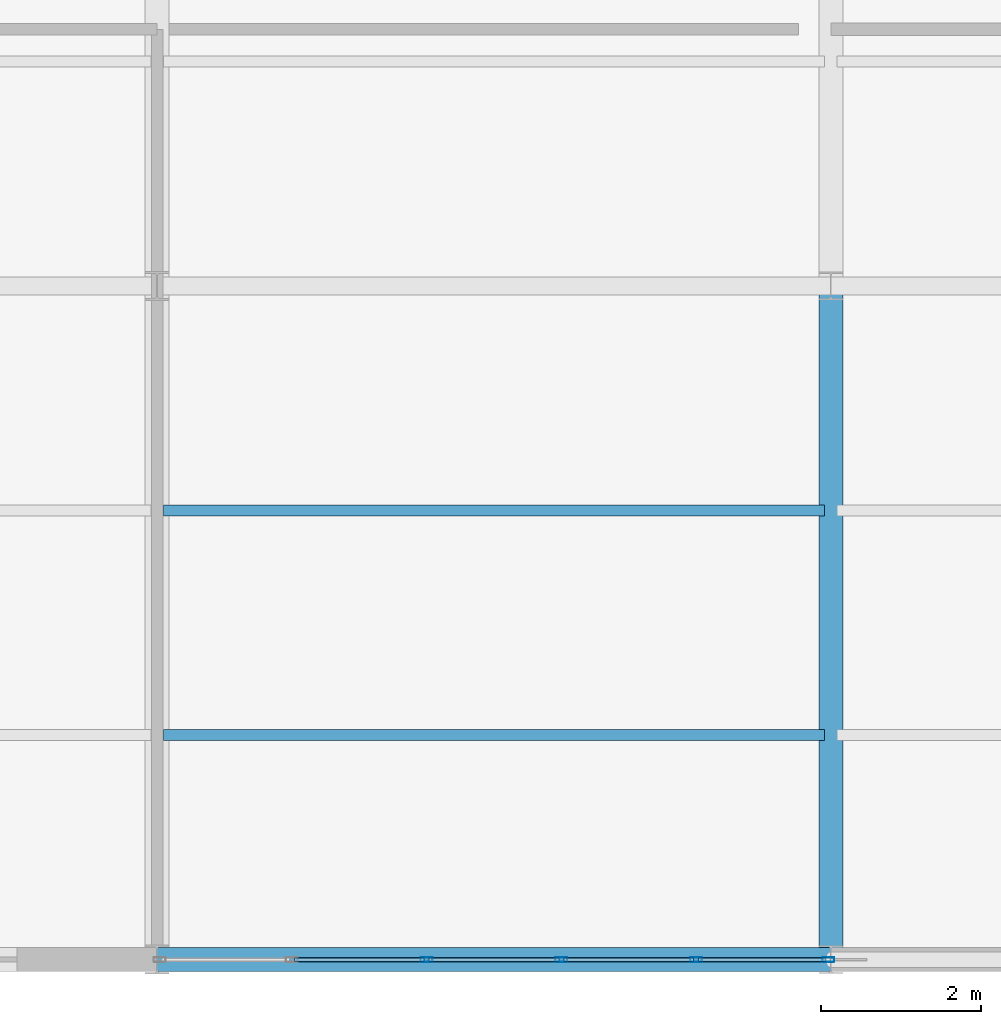
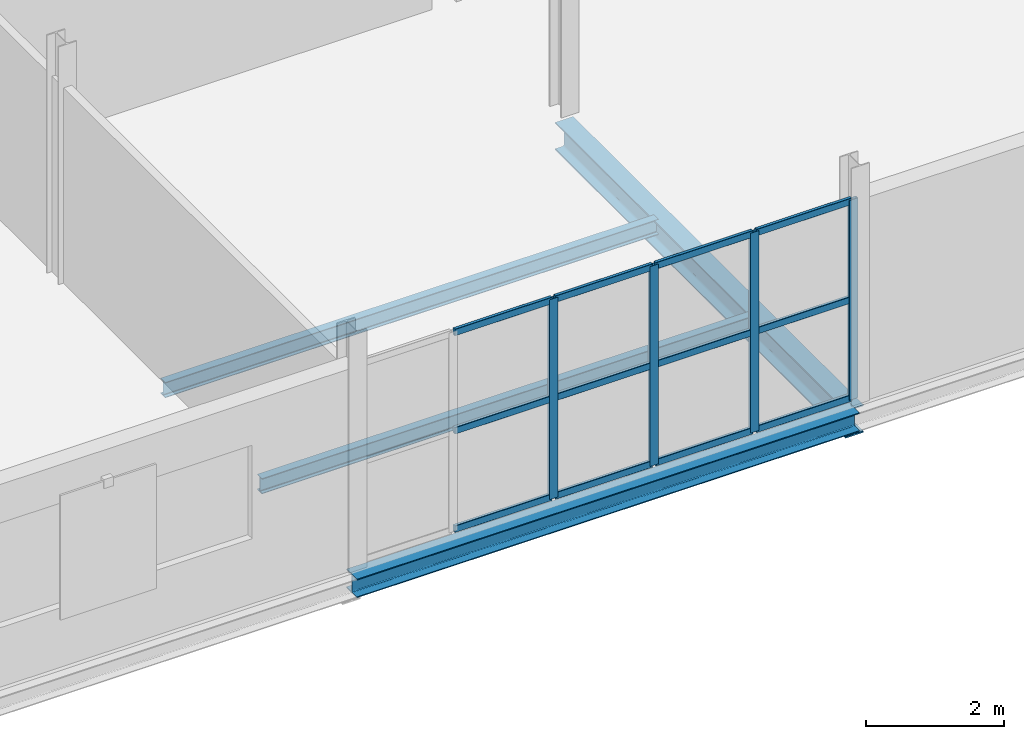
# One storey, part 94 of 163: 16 members, 4 beams, 1 element without a shape of its own.
"""IFC4 building model written with IfcOpenShell, lengths in metres."""

import ifcopenshell
import ifcopenshell.guid

model = None  # the IFC model being written
_history = None  # IfcOwnerHistory: only IFC2X3 demands one
_inside = {}  # id of a spatial element -> (the spatial element, [elements in it])
_under = {}  # id of a project, library or spatial element -> (it, [spatial elements below it])
_declared = {}  # id of a project -> (the project, [libraries it declares])
_typed = {}  # id of a type object -> (the type object, [elements of that type])
_made_of = {}  # id of a material, layer set ... -> (it, [elements and type objects made of it])


def new_model(schema):
    """Start an empty IFC model of exactly this schema.

    Asked for "IFC4X3", IfcOpenShell would pick the latest addendum, in which some entities
    have other attributes; the version numbers below select the first issue.
    IFC2X3 requires an IfcOwnerHistory on every rooted entity: one is made here for all.
    """
    global model, _history
    if schema == "IFC4X3":
        model = ifcopenshell.file(schema_version=(4, 3, 0, 0))
    else:
        model = ifcopenshell.file(schema=schema)
    _inside.clear()
    _under.clear()
    _declared.clear()
    _typed.clear()
    _made_of.clear()
    _history = None
    if model.schema == "IFC2X3":
        org = make("IfcOrganization", Name="unknown")
        user = make(
            "IfcPersonAndOrganization",
            ThePerson=make("IfcPerson", FamilyName="unknown"),
            TheOrganization=org,
        )
        app = make(
            "IfcApplication",
            ApplicationDeveloper=org,
            Version="unknown",
            ApplicationFullName="unknown",
            ApplicationIdentifier="unknown",
        )
        _history = make(
            "IfcOwnerHistory",
            OwningUser=user,
            OwningApplication=app,
            ChangeAction="ADDED",
            CreationDate=0,
        )
    return model


def make(cls, **values):
    """One entity of the class cls with the attributes given. An attribute that is None is left unset."""
    return model.create_entity(
        cls, **{name: value for name, value in values.items() if value is not None}
    )


def rooted(cls, **values):
    """An entity with a GlobalId (a new one), such as an element, a storey or a relation."""
    return make(cls, GlobalId=ifcopenshell.guid.new(), OwnerHistory=_history, **values)


def si_unit(unit_type, name, prefix=None):
    """IfcSIUnit, for example si_unit("LENGTHUNIT", "METRE", prefix="MILLI")."""
    return make("IfcSIUnit", UnitType=unit_type, Prefix=prefix, Name=name)


def assignment(units):
    """IfcUnitAssignment: the units of a project."""
    return None if units is None else make("IfcUnitAssignment", Units=units)


def point(xyz):
    """IfcCartesianPoint."""
    return None if xyz is None else make("IfcCartesianPoint", Coordinates=xyz)


def direction(xyz):
    """IfcDirection."""
    return None if xyz is None else make("IfcDirection", DirectionRatios=xyz)


def frame(location, z_axis=None, x_axis=None):
    """IfcAxis2Placement3D, a coordinate frame: its origin and axes. An axis left out is left unset."""
    return make(
        "IfcAxis2Placement3D",
        Location=point(location),
        Axis=direction(z_axis),
        RefDirection=direction(x_axis),
    )


def frame_2d(location, x_axis=None):
    """IfcAxis2Placement2D, a coordinate frame in the plane: its origin and x axis."""
    return make(
        "IfcAxis2Placement2D", Location=point(location), RefDirection=direction(x_axis)
    )


def origin():
    """The frame at (0, 0, 0) with its axes left unset."""
    return frame((0.0, 0.0, 0.0))


def origin_2d():
    """The frame at (0, 0) in the plane with its x axis left unset."""
    return frame_2d((0.0, 0.0))


def place(relative_to, where):
    """IfcLocalPlacement: puts the frame where relative to a parent placement (None: the world)."""
    return make(
        "IfcLocalPlacement", PlacementRelTo=relative_to, RelativePlacement=where
    )


def context(
    kind, dimensions, precision=None, world=None, true_north=None, identifier=None
):
    """IfcGeometricRepresentationContext, for example the 3D "Model" context."""
    return make(
        "IfcGeometricRepresentationContext",
        ContextIdentifier=identifier,
        ContextType=kind,
        CoordinateSpaceDimension=dimensions,
        Precision=precision,
        WorldCoordinateSystem=world,
        TrueNorth=true_north,
    )


def subcontext(parent, identifier, kind, view, scale=None):
    """IfcGeometricRepresentationSubContext, for example "Body" below "Model"."""
    return make(
        "IfcGeometricRepresentationSubContext",
        ContextIdentifier=identifier,
        ContextType=kind,
        ParentContext=parent,
        TargetScale=scale,
        TargetView=view,
    )


def project(units=None, contexts=None):
    """IfcProject with its units and contexts."""
    return rooted(
        "IfcProject",
        Name="project",
        RepresentationContexts=contexts,
        UnitsInContext=assignment(units),
    )


def spatial(cls, under=None, at=None, **own):
    """A site, building, storey or space (cls), placed at a placement, below another one or the project."""
    s = rooted(cls, ObjectPlacement=at, **own)
    if under is not None:
        _under.setdefault(under.id(), (under, []))[1].append(s)
    return s


def profile(cls, at=None, kind="AREA", **sizes):
    """A parametric profile (cls). Its sizes go by their IFC names, for example OverallWidth=200.0."""
    return make(cls, ProfileType=kind, Position=at, **sizes)


def hollow_rectangle(**sizes):
    """IfcRectangleHollowProfileDef."""
    return profile("IfcRectangleHollowProfileDef", **sizes)


def i_section(**sizes):
    """IfcIShapeProfileDef."""
    return profile("IfcIShapeProfileDef", **sizes)


def extrude(swept, where, along, depth):
    """IfcExtrudedAreaSolid: the profile swept, set in the frame where, extruded along a direction by depth."""
    return make(
        "IfcExtrudedAreaSolid",
        SweptArea=swept,
        Position=where,
        ExtrudedDirection=direction(along),
        Depth=depth,
    )


def shape(context_of_items, identifier, shape_type, items):
    """IfcShapeRepresentation: the items that make up one representation, for example the "Body"."""
    return make(
        "IfcShapeRepresentation",
        ContextOfItems=context_of_items,
        RepresentationIdentifier=identifier,
        RepresentationType=shape_type,
        Items=items,
    )


def material(Name=None, Category=None):
    """IfcMaterial."""
    return make("IfcMaterial", Name=Name, Category=Category)


def layer(
    of_material, thickness, ventilated=None, Name=None, Category=None, Priority=None
):
    """IfcMaterialLayer: one layer of a wall or slab, of a material (None: an air gap)."""
    return make(
        "IfcMaterialLayer",
        Material=of_material,
        LayerThickness=thickness,
        IsVentilated=ventilated,
        Name=Name,
        Category=Category,
        Priority=Priority,
    )


def layer_set(layers, Name=None):
    """IfcMaterialLayerSet."""
    return make("IfcMaterialLayerSet", MaterialLayers=layers, LayerSetName=Name)


def material_profile(
    of_material, cross_section, Name=None, Category=None, Priority=None
):
    """IfcMaterialProfile: a cross section and its material."""
    return make(
        "IfcMaterialProfile",
        Name=Name,
        Material=of_material,
        Profile=cross_section,
        Priority=Priority,
        Category=Category,
    )


def profile_set(profiles, Name=None, composite=None):
    """IfcMaterialProfileSet."""
    return make(
        "IfcMaterialProfileSet",
        Name=Name,
        MaterialProfiles=profiles,
        CompositeProfile=composite,
    )


def made_of(thing, what):
    """Note that an element or type object is made of a material, layer set ...; save() writes the relation."""
    if what is not None:
        _made_of.setdefault(what.id(), (what, []))[1].append(thing)
    return thing


def type_object(cls, material=None, **own):
    """A type object (cls), such as IfcWallType, which elements share."""
    return made_of(rooted(cls, **own), material)


def element(
    cls,
    number,
    at=None,
    inside=None,
    cuts=None,
    type_object=None,
    material=None,
    context=None,
    identifier="Body",
    shape_type=None,
    held_by="IfcProductDefinitionShape",
    body=None,
    shapes=None,
    **own,
):
    """One element of the class cls, such as IfcWall. Its Tag is "e" and its number.

    at: its placement. inside: the storey or other place that contains it. cuts: it is an
    opening in that element (IfcRelVoidsElement). A single representation is given by context,
    identifier, shape_type and body (its items); several are given by shapes. held_by: the class
    of the entity that holds the representations. save() writes the other relations.
    """
    e = rooted(cls, Tag="e%d" % number, ObjectPlacement=at, **own)
    if body is not None:
        shapes = [shape(context, identifier, shape_type, body)]
    if shapes is not None:
        e.Representation = make(held_by, Representations=shapes)
    if inside is not None:
        _inside.setdefault(inside.id(), (inside, []))[1].append(e)
    if cuts is not None:
        rooted(
            "IfcRelVoidsElement", RelatingBuildingElement=cuts, RelatedOpeningElement=e
        )
    if type_object is not None:
        _typed.setdefault(type_object.id(), (type_object, []))[1].append(e)
    return made_of(e, material)


def aggregate(whole, parts):
    """IfcRelAggregates: a whole, such as a stair, and the parts it consists of."""
    return rooted("IfcRelAggregates", RelatingObject=whole, RelatedObjects=parts)


def save(model, path):
    """Write the relations noted so far, then the file.

    IfcRelAggregates (storeys below a building ...), IfcRelContainedInSpatialStructure (elements
    in a storey), IfcRelDefinesByType, IfcRelAssociatesMaterial and IfcRelDeclares: one each for
    every whole, place, type object, material and project.
    """
    for whole, parts in _under.values():
        aggregate(whole, parts)
    for where, things in _inside.values():
        rooted(
            "IfcRelContainedInSpatialStructure",
            RelatedElements=things,
            RelatingStructure=where,
        )
    for kind, things in _typed.values():
        rooted("IfcRelDefinesByType", RelatedObjects=things, RelatingType=kind)
    for what, things in _made_of.values():
        rooted("IfcRelAssociatesMaterial", RelatedObjects=things, RelatingMaterial=what)
    for by, libraries in _declared.values():
        rooted("IfcRelDeclares", RelatingContext=by, RelatedDefinitions=libraries)
    model.write(path)


model = new_model("IFC4")

# Units and contexts
model_context = context("Model", 3, precision=1e-05, world=origin(), true_north=direction((0.0, 1.0)))
body_context = subcontext(model_context, "Body", "Model", "MODEL_VIEW")
ifc_project = project(units=[si_unit("LENGTHUNIT", "METRE"), si_unit("AREAUNIT", "SQUARE_METRE"), si_unit("VOLUMEUNIT", "CUBIC_METRE"), si_unit("PLANEANGLEUNIT", "RADIAN"), si_unit("MASSUNIT", "GRAM", prefix="KILO")], contexts=[model_context])

# Site, building, storey
site_placement = place(None, origin())
site = spatial("IfcSite", under=ifc_project, at=site_placement, CompositionType="ELEMENT")
building_placement = place(site_placement, origin())
building = spatial("IfcBuilding", under=site, at=building_placement, Name="Qalvenar Corner Mobility Hub", CompositionType="ELEMENT")
storey_placement = place(building_placement, frame((0.0, 0.0, 4.800048828125)))
storey = spatial("IfcBuildingStorey", under=building, at=storey_placement, Name="L01", CompositionType="ELEMENT", Elevation=4.800048828125)

# Beams
ifc_material_1 = material(Name="Steel S355", Category="steel")
ifc_material_profile_1 = material_profile(ifc_material_1, i_section(OverallWidth=0.300048828125, OverallDepth=0.489990234375, WebThickness=0.011962890625, FlangeThickness=0.02294921875, FilletRadius=0.027099609375, at=origin_2d()), Name="HEA500")
ifc_profile_set_1 = profile_set([ifc_material_profile_1], Name="Steel S355")
beam_type_1 = type_object("IfcBeamType", Name="BM-HEA500", PredefinedType="BEAM", material=ifc_profile_set_1)
beam_1_placement = place(storey_placement, frame((142.800048828125, 0.0, -0.425048828125), z_axis=(0.0, 1.0, 0.0), x_axis=(-1.0, 0.0, 0.0)))
element("IfcBeam", 1, at=beam_1_placement, inside=storey, type_object=beam_type_1, Name="Primary Steel Girder GY-1050", PredefinedType="BEAM", context=body_context, shape_type="SweptSolid", body=[
    extrude(i_section(OverallWidth=0.300048828125, OverallDepth=0.489990234375, WebThickness=0.011962890625, FlangeThickness=0.02294921875, FilletRadius=0.027099609375, at=origin_2d()), origin(), (0.0, 0.0, 1.0), 8.39990234375),
])
ifc_material_profile_2 = material_profile(ifc_material_1, i_section(OverallWidth=0.135009765625, OverallDepth=0.27001953125, WebThickness=0.006591796875, FlangeThickness=0.01025390625, FilletRadius=0.014892578125, at=origin_2d()), Name="IPE270")
ifc_profile_set_2 = profile_set([ifc_material_profile_2], Name="Steel S355")
beam_type_2 = type_object("IfcBeamType", Name="BM-JST270", PredefinedType="JOIST", material=ifc_profile_set_2)
for number, where, z_axis, x_axis, name in (
    (2, (134.47802734375, 2.800048828125, -0.31494140625), (1.0, 0.0, 0.0), (0.0, 1.0, 0.0), "Composite Floor Joist J-1108"),
    (3, (134.47802734375, 5.60009765625, -0.31494140625), (1.0, 0.0, 0.0), (0.0, 1.0, 0.0), "Composite Floor Joist J-1109"),
):
    element("IfcBeam", number, at=place(storey_placement, frame(where, z_axis=z_axis, x_axis=x_axis)), inside=storey, type_object=beam_type_2, Name=name, PredefinedType="JOIST", context=body_context, shape_type="SweptSolid", body=[
        extrude(i_section(OverallWidth=0.135009765625, OverallDepth=0.27001953125, WebThickness=0.006591796875, FlangeThickness=0.01025390625, FilletRadius=0.014892578125, at=origin_2d()), origin(), (0.0, 0.0, 1.0), 8.243896484375),
    ])
ifc_material_profile_3 = material_profile(ifc_material_1, i_section(OverallWidth=0.300048828125, OverallDepth=0.330078125, WebThickness=0.009521484375, FlangeThickness=0.0166015625, FilletRadius=0.027099609375, at=origin_2d()), Name="HEA340")
ifc_profile_set_3 = profile_set([ifc_material_profile_3], Name="Steel S355")
beam_type_3 = type_object("IfcBeamType", Name="BM-SPN340", PredefinedType="SPANDREL", material=ifc_profile_set_3)
beam_2_placement = place(storey_placement, frame((134.39990234375, 0.0, -0.344970703125), z_axis=(1.0, 0.0, 0.0), x_axis=(0.0, 1.0, 0.0)))
element("IfcBeam", 4, at=beam_2_placement, inside=storey, type_object=beam_type_3, Name="Primary Steel Girder GX-0981", PredefinedType="SPANDREL", context=body_context, shape_type="SweptSolid", body=[
    extrude(i_section(OverallWidth=0.300048828125, OverallDepth=0.330078125, WebThickness=0.009521484375, FlangeThickness=0.0166015625, FilletRadius=0.027099609375, at=origin_2d()), origin(), (0.0, 0.0, 1.0), 8.400146484375),
])

# Curtain wall, members
ifc_material_2 = material(Name="Anodised Aluminium and Low-E Glazing", Category="aluminium")
ifc_layer = layer(ifc_material_2, 0.14990234375)
ifc_layer_set = layer_set([ifc_layer], Name="Anodised Aluminium and Low-E Glazing")
curtain_wall_type = type_object("IfcCurtainWallType", Name="CW-WKS-84X44", PredefinedType="NOTDEFINED", material=ifc_layer_set)
curtain_wall_placement = place(storey_placement, origin())
curtain_wall = element("IfcCurtainWall", 5, at=curtain_wall_placement, inside=storey, type_object=curtain_wall_type, Name="Glazed Curtain Wall CW-V6-L01-S3", PredefinedType="NOTDEFINED")
ifc_material_3 = material(Name="Anodised Aluminium 6063-T6", Category="aluminium")
ifc_material_profile_4 = material_profile(ifc_material_3, hollow_rectangle(XDim=0.06005859375, YDim=0.14990234375, WallThickness=0.00390625, InnerFilletRadius=0.00390625, OuterFilletRadius=0.008056640625, at=origin_2d()), Name="RHS150x60x4")
ifc_profile_set_4 = profile_set([ifc_material_profile_4], Name="Anodised Aluminium 6063-T6")
member_type_1 = type_object("IfcMemberType", Name="CW-MUL150", PredefinedType="MULLION", material=ifc_profile_set_4)
member_1_placement = place(storey_placement, frame((137.760009765625, 0.0, 0.0), z_axis=(0.0, 0.0, 1.0), x_axis=(0.0, 1.0, 0.0)))
member_1 = element("IfcMember", 6, at=member_1_placement, type_object=member_type_1, Name="CW-09 mullion 3", PredefinedType="MULLION", context=body_context, shape_type="SweptSolid", body=[
    extrude(hollow_rectangle(XDim=0.06005859375, YDim=0.14990234375, WallThickness=0.00390625, InnerFilletRadius=0.00390625, OuterFilletRadius=0.008056640625, at=origin_2d()), origin(), (0.0, 0.0, 1.0), 3.530029296875),
])
member_2_placement = place(storey_placement, frame((139.43994140625, 0.0, 0.0), z_axis=(0.0, 0.0, 1.0), x_axis=(0.0, 1.0, 0.0)))
member_2 = element("IfcMember", 7, at=member_2_placement, type_object=member_type_1, Name="CW-09 mullion 4", PredefinedType="MULLION", context=body_context, shape_type="SweptSolid", body=[
    extrude(hollow_rectangle(XDim=0.06005859375, YDim=0.14990234375, WallThickness=0.00390625, InnerFilletRadius=0.00390625, OuterFilletRadius=0.008056640625, at=origin_2d()), origin(), (0.0, 0.0, 1.0), 3.530029296875),
])
member_3_placement = place(storey_placement, frame((141.1201171875, 0.0, 0.0), z_axis=(0.0, 0.0, 1.0), x_axis=(0.0, 1.0, 0.0)))
member_3 = element("IfcMember", 8, at=member_3_placement, type_object=member_type_1, Name="CW-09 mullion 5", PredefinedType="MULLION", context=body_context, shape_type="SweptSolid", body=[
    extrude(hollow_rectangle(XDim=0.06005859375, YDim=0.14990234375, WallThickness=0.00390625, InnerFilletRadius=0.00390625, OuterFilletRadius=0.008056640625, at=origin_2d()), origin(), (0.0, 0.0, 1.0), 3.530029296875),
])
member_4_placement = place(storey_placement, frame((142.77001953125, 0.0, 0.0), z_axis=(0.0, 0.0, 1.0), x_axis=(0.0, 1.0, 0.0)))
member_4 = element("IfcMember", 9, at=member_4_placement, type_object=member_type_1, Name="CW-09 mullion 6", PredefinedType="MULLION", context=body_context, shape_type="SweptSolid", body=[
    extrude(hollow_rectangle(XDim=0.06005859375, YDim=0.14990234375, WallThickness=0.00390625, InnerFilletRadius=0.00390625, OuterFilletRadius=0.008056640625, at=origin_2d()), origin(), (0.0, 0.0, 1.0), 3.530029296875),
])
ifc_material_profile_5 = material_profile(ifc_material_3, hollow_rectangle(XDim=0.054931640625, YDim=0.1201171875, WallThickness=0.00341796875, InnerFilletRadius=0.00341796875, OuterFilletRadius=0.007080078125, at=origin_2d()), Name="RHS120x55x3.5")
ifc_profile_set_5 = profile_set([ifc_material_profile_5], Name="Anodised Aluminium 6063-T6")
member_type_2 = type_object("IfcMemberType", Name="CW-TRN120", PredefinedType="USERDEFINED", material=ifc_profile_set_5)
member_5_placement = place(storey_placement, frame((136.110107421875, 0.0, 0.02734375), z_axis=(1.0, 0.0, 0.0), x_axis=(0.0, 1.0, 0.0)))
member_5 = element("IfcMember", 10, at=member_5_placement, type_object=member_type_2, Name="CW-09 transom 2.1", ObjectType="TRANSOM", PredefinedType="USERDEFINED", context=body_context, shape_type="SweptSolid", body=[
    extrude(hollow_rectangle(XDim=0.054931640625, YDim=0.1201171875, WallThickness=0.00341796875, InnerFilletRadius=0.00341796875, OuterFilletRadius=0.007080078125, at=origin_2d()), origin(), (0.0, 0.0, 1.0), 1.619873046875),
])
member_6_placement = place(storey_placement, frame((136.110107421875, 0.0, 1.764892578125), z_axis=(1.0, 0.0, 0.0), x_axis=(0.0, 1.0, 0.0)))
member_6 = element("IfcMember", 11, at=member_6_placement, type_object=member_type_2, Name="CW-09 transom 2.2", ObjectType="TRANSOM", PredefinedType="USERDEFINED", context=body_context, shape_type="SweptSolid", body=[
    extrude(hollow_rectangle(XDim=0.054931640625, YDim=0.1201171875, WallThickness=0.00341796875, InnerFilletRadius=0.00341796875, OuterFilletRadius=0.007080078125, at=origin_2d()), origin(), (0.0, 0.0, 1.0), 1.619873046875),
])
member_7_placement = place(storey_placement, frame((136.110107421875, 0.0, 3.50244140625), z_axis=(1.0, 0.0, 0.0), x_axis=(0.0, 1.0, 0.0)))
member_7 = element("IfcMember", 12, at=member_7_placement, type_object=member_type_2, Name="CW-09 transom 2.3", ObjectType="TRANSOM", PredefinedType="USERDEFINED", context=body_context, shape_type="SweptSolid", body=[
    extrude(hollow_rectangle(XDim=0.054931640625, YDim=0.1201171875, WallThickness=0.00341796875, InnerFilletRadius=0.00341796875, OuterFilletRadius=0.007080078125, at=origin_2d()), origin(), (0.0, 0.0, 1.0), 1.619873046875),
])
member_8_placement = place(storey_placement, frame((137.7900390625, 0.0, 0.02734375), z_axis=(1.0, 0.0, 0.0), x_axis=(0.0, 1.0, 0.0)))
member_8 = element("IfcMember", 13, at=member_8_placement, type_object=member_type_2, Name="CW-09 transom 3.1", ObjectType="TRANSOM", PredefinedType="USERDEFINED", context=body_context, shape_type="SweptSolid", body=[
    extrude(hollow_rectangle(XDim=0.054931640625, YDim=0.1201171875, WallThickness=0.00341796875, InnerFilletRadius=0.00341796875, OuterFilletRadius=0.007080078125, at=origin_2d()), origin(), (0.0, 0.0, 1.0), 1.619873046875),
])
member_9_placement = place(storey_placement, frame((137.7900390625, 0.0, 1.764892578125), z_axis=(1.0, 0.0, 0.0), x_axis=(0.0, 1.0, 0.0)))
member_9 = element("IfcMember", 14, at=member_9_placement, type_object=member_type_2, Name="CW-09 transom 3.2", ObjectType="TRANSOM", PredefinedType="USERDEFINED", context=body_context, shape_type="SweptSolid", body=[
    extrude(hollow_rectangle(XDim=0.054931640625, YDim=0.1201171875, WallThickness=0.00341796875, InnerFilletRadius=0.00341796875, OuterFilletRadius=0.007080078125, at=origin_2d()), origin(), (0.0, 0.0, 1.0), 1.619873046875),
])
member_10_placement = place(storey_placement, frame((137.7900390625, 0.0, 3.50244140625), z_axis=(1.0, 0.0, 0.0), x_axis=(0.0, 1.0, 0.0)))
member_10 = element("IfcMember", 15, at=member_10_placement, type_object=member_type_2, Name="CW-09 transom 3.3", ObjectType="TRANSOM", PredefinedType="USERDEFINED", context=body_context, shape_type="SweptSolid", body=[
    extrude(hollow_rectangle(XDim=0.054931640625, YDim=0.1201171875, WallThickness=0.00341796875, InnerFilletRadius=0.00341796875, OuterFilletRadius=0.007080078125, at=origin_2d()), origin(), (0.0, 0.0, 1.0), 1.619873046875),
])
member_11_placement = place(storey_placement, frame((139.469970703125, 0.0, 0.02734375), z_axis=(1.0, 0.0, 0.0), x_axis=(0.0, 1.0, 0.0)))
member_11 = element("IfcMember", 16, at=member_11_placement, type_object=member_type_2, Name="CW-09 transom 4.1", ObjectType="TRANSOM", PredefinedType="USERDEFINED", context=body_context, shape_type="SweptSolid", body=[
    extrude(hollow_rectangle(XDim=0.054931640625, YDim=0.1201171875, WallThickness=0.00341796875, InnerFilletRadius=0.00341796875, OuterFilletRadius=0.007080078125, at=origin_2d()), origin(), (0.0, 0.0, 1.0), 1.6201171875),
])
member_12_placement = place(storey_placement, frame((139.469970703125, 0.0, 1.764892578125), z_axis=(1.0, 0.0, 0.0), x_axis=(0.0, 1.0, 0.0)))
member_12 = element("IfcMember", 17, at=member_12_placement, type_object=member_type_2, Name="CW-09 transom 4.2", ObjectType="TRANSOM", PredefinedType="USERDEFINED", context=body_context, shape_type="SweptSolid", body=[
    extrude(hollow_rectangle(XDim=0.054931640625, YDim=0.1201171875, WallThickness=0.00341796875, InnerFilletRadius=0.00341796875, OuterFilletRadius=0.007080078125, at=origin_2d()), origin(), (0.0, 0.0, 1.0), 1.6201171875),
])
member_13_placement = place(storey_placement, frame((139.469970703125, 0.0, 3.50244140625), z_axis=(1.0, 0.0, 0.0), x_axis=(0.0, 1.0, 0.0)))
member_13 = element("IfcMember", 18, at=member_13_placement, type_object=member_type_2, Name="CW-09 transom 4.3", ObjectType="TRANSOM", PredefinedType="USERDEFINED", context=body_context, shape_type="SweptSolid", body=[
    extrude(hollow_rectangle(XDim=0.054931640625, YDim=0.1201171875, WallThickness=0.00341796875, InnerFilletRadius=0.00341796875, OuterFilletRadius=0.007080078125, at=origin_2d()), origin(), (0.0, 0.0, 1.0), 1.6201171875),
])
member_14_placement = place(storey_placement, frame((141.14990234375, 0.0, 0.02734375), z_axis=(1.0, 0.0, 0.0), x_axis=(0.0, 1.0, 0.0)))
member_14 = element("IfcMember", 19, at=member_14_placement, type_object=member_type_2, Name="CW-09 transom 5.1", ObjectType="TRANSOM", PredefinedType="USERDEFINED", context=body_context, shape_type="SweptSolid", body=[
    extrude(hollow_rectangle(XDim=0.054931640625, YDim=0.1201171875, WallThickness=0.00341796875, InnerFilletRadius=0.00341796875, OuterFilletRadius=0.007080078125, at=origin_2d()), origin(), (0.0, 0.0, 1.0), 1.590087890625),
])
member_15_placement = place(storey_placement, frame((141.14990234375, 0.0, 1.764892578125), z_axis=(1.0, 0.0, 0.0), x_axis=(0.0, 1.0, 0.0)))
member_15 = element("IfcMember", 20, at=member_15_placement, type_object=member_type_2, Name="CW-09 transom 5.2", ObjectType="TRANSOM", PredefinedType="USERDEFINED", context=body_context, shape_type="SweptSolid", body=[
    extrude(hollow_rectangle(XDim=0.054931640625, YDim=0.1201171875, WallThickness=0.00341796875, InnerFilletRadius=0.00341796875, OuterFilletRadius=0.007080078125, at=origin_2d()), origin(), (0.0, 0.0, 1.0), 1.590087890625),
])
member_16_placement = place(storey_placement, frame((141.14990234375, 0.0, 3.50244140625), z_axis=(1.0, 0.0, 0.0), x_axis=(0.0, 1.0, 0.0)))
member_16 = element("IfcMember", 21, at=member_16_placement, type_object=member_type_2, Name="CW-09 transom 5.3", ObjectType="TRANSOM", PredefinedType="USERDEFINED", context=body_context, shape_type="SweptSolid", body=[
    extrude(hollow_rectangle(XDim=0.054931640625, YDim=0.1201171875, WallThickness=0.00341796875, InnerFilletRadius=0.00341796875, OuterFilletRadius=0.007080078125, at=origin_2d()), origin(), (0.0, 0.0, 1.0), 1.590087890625),
])
aggregate(curtain_wall, [member_1, member_2, member_3, member_4, member_5, member_6, member_7, member_8, member_9, member_10, member_11, member_12, member_13, member_14, member_15, member_16])

save(model, "model.ifc")
